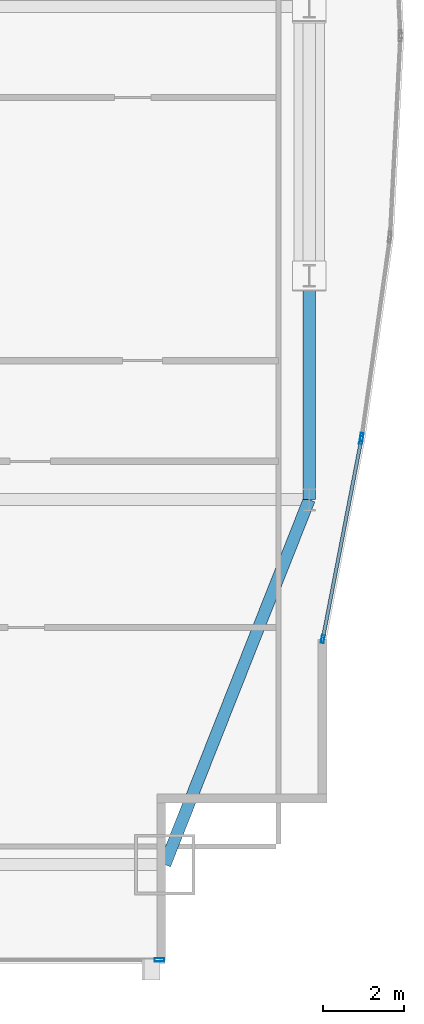
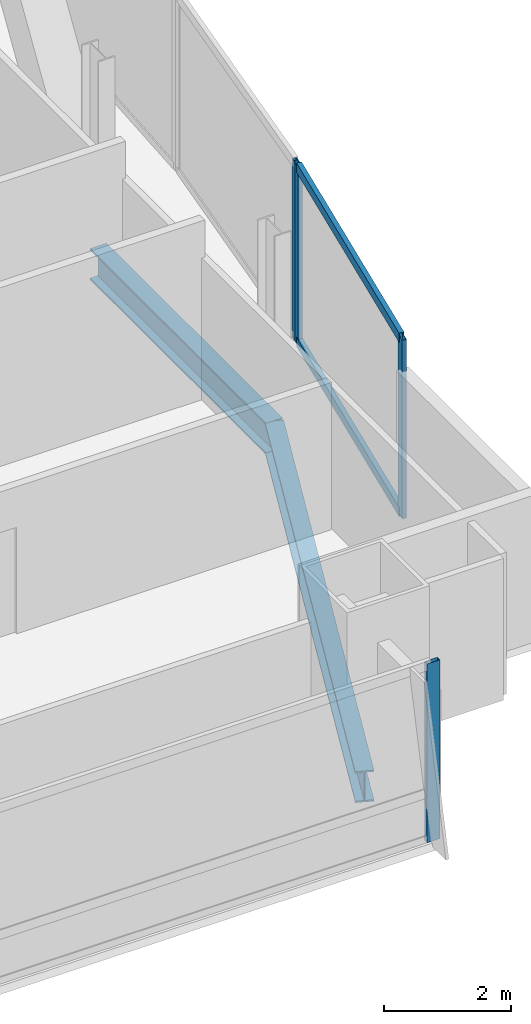
# One storey, part 21 of 33: 6 members, 2 beams, 3 elements without a shape of their own.
"""IFC4 building model written with IfcOpenShell, lengths in metres."""

from ifc_helpers import new_model, si_unit, direction, frame, origin, origin_2d, place, context, subcontext, project, spatial, hollow_rectangle, i_section, extrude, material, material_profile, profile_set, type_object, element, aggregate, save


model = new_model("IFC4")

# Units and contexts
model_context = context("Model", 3, precision=1e-05, world=origin(), true_north=direction((0.0, 1.0)))
body_context = subcontext(model_context, "Body", "Model", "MODEL_VIEW")
ifc_project = project(units=[si_unit("LENGTHUNIT", "METRE"), si_unit("AREAUNIT", "SQUARE_METRE"), si_unit("VOLUMEUNIT", "CUBIC_METRE"), si_unit("PLANEANGLEUNIT", "RADIAN"), si_unit("MASSUNIT", "GRAM", prefix="KILO")], contexts=[model_context])

# Site, building, storey
site_placement = place(None, origin())
site = spatial("IfcSite", under=ifc_project, at=site_placement, CompositionType="ELEMENT")
building_placement = place(site_placement, origin())
building = spatial("IfcBuilding", under=site, at=building_placement, Name="Khoronbel Lancet Exchange", CompositionType="ELEMENT")
storey_placement = place(building_placement, frame((0.0, 0.0, 118.199951171875)))
storey = spatial("IfcBuildingStorey", under=building, at=storey_placement, Name="L28", CompositionType="ELEMENT", Elevation=118.199951171875)

# Beams
ifc_material_1 = material(Name="Steel S355", Category="steel")
ifc_material_profile_1 = material_profile(ifc_material_1, i_section(OverallWidth=0.300048828125, OverallDepth=0.60009765625, WebThickness=0.015380859375, FlangeThickness=0.030029296875, at=origin_2d()), Name="HEB 600")
ifc_profile_set_1 = profile_set([ifc_material_profile_1], Name="Steel S355")
beam_type = type_object("IfcBeamType", Name="BM-BSP2", PredefinedType="SPANDREL", material=ifc_profile_set_1)
beam_1_placement = place(storey_placement, frame((66.050048828125, 10.14990234375, -0.4599609375), z_axis=(0.367828403855, 0.929893684954, 0.0), x_axis=(-0.929893684954, 0.367828403855, 0.0)))
element("IfcBeam", 1, at=beam_1_placement, inside=storey, type_object=beam_type, Name="Level L28 perimeter spandrel beam SP10", PredefinedType="SPANDREL", context=body_context, shape_type="SweptSolid", body=[
    extrude(i_section(OverallWidth=0.300048828125, OverallDepth=0.60009765625, WebThickness=0.015380859375, FlangeThickness=0.030029296875, at=origin_2d()), origin(), (0.0, 0.0, 1.0), 9.732421875),
])
beam_2_placement = place(storey_placement, frame((69.6298828125, 19.199951171875, -0.4599609375), z_axis=(0.0, 1.0, 0.0), x_axis=(-1.0, 0.0, 0.0)))
element("IfcBeam", 2, at=beam_2_placement, inside=storey, type_object=beam_type, Name="Level L28 perimeter spandrel beam SP11", PredefinedType="SPANDREL", context=body_context, shape_type="SweptSolid", body=[
    extrude(i_section(OverallWidth=0.300048828125, OverallDepth=0.60009765625, WebThickness=0.015380859375, FlangeThickness=0.030029296875, at=origin_2d()), origin(), (0.0, 0.0, 1.0), 5.550048828125),
])

# Curtain wall, member
ifc_material_2 = material(Name="Low-E Solar Control Insulating Glass", Category="glass")
curtain_wall_type_1 = type_object("IfcCurtainWallType", Name="CW-2", PredefinedType="NOTDEFINED", material=ifc_material_2)
curtain_wall_1_placement = place(storey_placement, origin())
curtain_wall_1 = element("IfcCurtainWall", 3, at=curtain_wall_1_placement, inside=storey, type_object=curtain_wall_type_1, Name="Unitised curtain wall CW-L28-SEV", PredefinedType="NOTDEFINED")
ifc_material_3 = material(Name="Bronze-Anodised Aluminium 6063-T6", Category="aluminium")
ifc_material_profile_2 = material_profile(ifc_material_3, hollow_rectangle(XDim=0.0849609375, YDim=0.239990234375, WallThickness=0.006103515625, at=origin_2d()), Name="ALU MULLION 85x240")
ifc_profile_set_2 = profile_set([ifc_material_profile_2], Name="Bronze-Anodised Aluminium 6063-T6")
member_type_1 = type_object("IfcMemberType", Name="MEM-CWM1", PredefinedType="MULLION", material=ifc_profile_set_2)
member_1_placement = place(storey_placement, frame((65.91748046875, 7.7900390625, 0.0), z_axis=(0.0, 0.0, 1.0), x_axis=(0.0, 1.0, 0.0)))
member_1 = element("IfcMember", 4, at=member_1_placement, type_object=member_type_1, Name="CW2 mullion 2", PredefinedType="MULLION", context=body_context, shape_type="SweptSolid", body=[
    extrude(hollow_rectangle(XDim=0.0849609375, YDim=0.239990234375, WallThickness=0.006103515625, at=origin_2d()), origin(), (0.0, 0.0, 1.0), 3.43994140625),
])
aggregate(curtain_wall_1, [member_1])

curtain_wall_type_2 = type_object("IfcCurtainWallType", Name="CW-4", PredefinedType="NOTDEFINED", material=ifc_material_2)
curtain_wall_2_placement = place(storey_placement, origin())
curtain_wall_2 = element("IfcCurtainWall", 5, at=curtain_wall_2_placement, inside=storey, type_object=curtain_wall_type_2, Name="Unitised curtain wall CW-L28-E21", PredefinedType="NOTDEFINED")
ifc_material_profile_3 = material_profile(ifc_material_3, hollow_rectangle(XDim=0.074951171875, YDim=0.199951171875, WallThickness=0.0048828125, at=origin_2d()), Name="ALU MULLION 75x200")
ifc_profile_set_3 = profile_set([ifc_material_profile_3], Name="Bronze-Anodised Aluminium 6063-T6")
member_type_2 = type_object("IfcMemberType", Name="MEM-CWM2", PredefinedType="MULLION", material=ifc_profile_set_3)
member_2_placement = place(storey_placement, frame((70.931640625, 20.751953125, 0.0), z_axis=(0.0, 0.0, 1.0), x_axis=(0.990162106971, -0.139924986756, 0.0)))
member_2 = element("IfcMember", 6, at=member_2_placement, type_object=member_type_2, Name="CW4 mullion 2", PredefinedType="MULLION", context=body_context, shape_type="SweptSolid", body=[
    extrude(hollow_rectangle(XDim=0.074951171875, YDim=0.199951171875, WallThickness=0.0048828125, at=origin_2d()), origin(), (0.0, 0.0, 1.0), 3.43994140625),
])
aggregate(curtain_wall_2, [member_2])

# Curtain wall, members
curtain_wall_3_placement = place(storey_placement, origin())
curtain_wall_3 = element("IfcCurtainWall", 7, at=curtain_wall_3_placement, inside=storey, type_object=curtain_wall_type_2, Name="Unitised curtain wall CW-L28-E22", PredefinedType="NOTDEFINED")
member_3_placement = place(storey_placement, frame((70.919189453125, 20.677978515625, 0.0), z_axis=(0.0, 0.0, 1.0), x_axis=(0.981872742913, -0.189541332498, 0.0)))
member_3 = element("IfcMember", 8, at=member_3_placement, type_object=member_type_2, Name="CW4 mullion 1", PredefinedType="MULLION", context=body_context, shape_type="SweptSolid", body=[
    extrude(hollow_rectangle(XDim=0.074951171875, YDim=0.199951171875, WallThickness=0.0048828125, at=origin_2d()), origin(), (0.0, 0.0, 1.0), 3.43994140625),
])
member_4_placement = place(storey_placement, frame((69.967041015625, 15.745361328125, 0.0), z_axis=(0.0, 0.0, 1.0), x_axis=(0.981872742913, -0.189541332498, 0.0)))
member_4 = element("IfcMember", 9, at=member_4_placement, type_object=member_type_2, Name="CW4 mullion 2", PredefinedType="MULLION", context=body_context, shape_type="SweptSolid", body=[
    extrude(hollow_rectangle(XDim=0.074951171875, YDim=0.199951171875, WallThickness=0.0048828125, at=origin_2d()), origin(), (0.0, 0.0, 1.0), 3.43994140625),
])
ifc_material_profile_4 = material_profile(ifc_material_3, hollow_rectangle(XDim=0.0849609375, YDim=0.179931640625, WallThickness=0.0048828125, at=origin_2d()), Name="ALU TRANSOM 85x180")
ifc_profile_set_4 = profile_set([ifc_material_profile_4], Name="Bronze-Anodised Aluminium 6063-T6")
member_type_3 = type_object("IfcMemberType", Name="MEM-CWT1", PredefinedType="USERDEFINED", material=ifc_profile_set_4)
member_5_placement = place(storey_placement, frame((70.912109375, 20.64111328125, 0.04248046875), z_axis=(-0.189546345119, -0.98187177526, 0.0), x_axis=(0.98187177526, -0.189546345119, 0.0)))
member_5 = element("IfcMember", 10, at=member_5_placement, type_object=member_type_3, Name="CW4 transom 1.1", ObjectType="TRANSOM", PredefinedType="USERDEFINED", context=body_context, shape_type="SweptSolid", body=[
    extrude(hollow_rectangle(XDim=0.0849609375, YDim=0.179931640625, WallThickness=0.0048828125, at=origin_2d()), origin(), (0.0, 0.0, 1.0), 4.948486328125),
])
member_6_placement = place(storey_placement, frame((70.912109375, 20.64111328125, 3.3974609375), z_axis=(-0.189546345119, -0.98187177526, 0.0), x_axis=(0.98187177526, -0.189546345119, 0.0)))
member_6 = element("IfcMember", 11, at=member_6_placement, type_object=member_type_3, Name="CW4 transom 1.2", ObjectType="TRANSOM", PredefinedType="USERDEFINED", context=body_context, shape_type="SweptSolid", body=[
    extrude(hollow_rectangle(XDim=0.0849609375, YDim=0.179931640625, WallThickness=0.0048828125, at=origin_2d()), origin(), (0.0, 0.0, 1.0), 4.948486328125),
])
aggregate(curtain_wall_3, [member_3, member_4, member_5, member_6])

save(model, "model.ifc")
